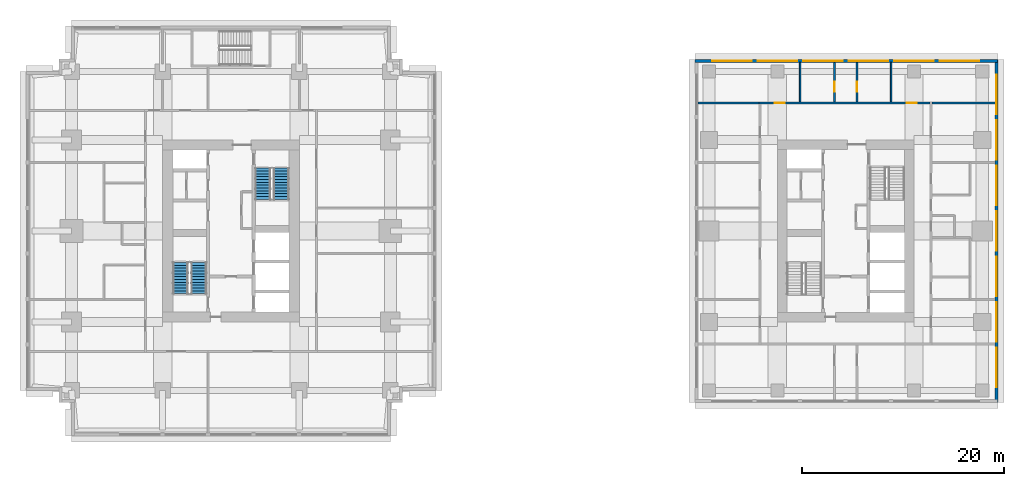
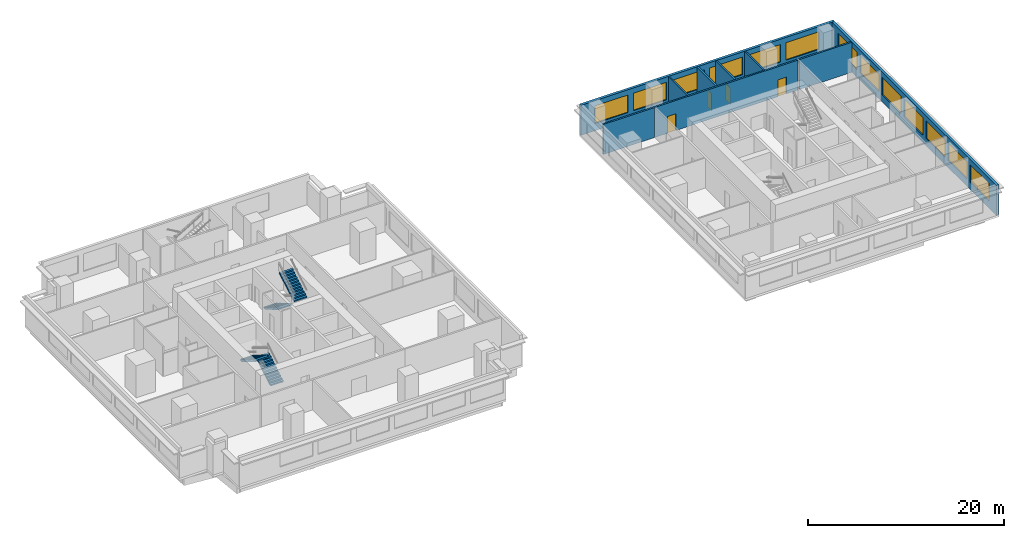
# One storey, part 8 of 11: 13 windows, 9 walls, 4 doors, 4 stair flights, 17 openings, 2 elements without a shape of their own.
"""IFC4 building model written with IfcOpenShell, lengths in metres."""

import ifcopenshell
import ifcopenshell.guid

model = None  # the IFC model being written
_history = None  # IfcOwnerHistory: only IFC2X3 demands one
_inside = {}  # id of a spatial element -> (the spatial element, [elements in it])
_under = {}  # id of a project, library or spatial element -> (it, [spatial elements below it])
_declared = {}  # id of a project -> (the project, [libraries it declares])
_typed = {}  # id of a type object -> (the type object, [elements of that type])
_made_of = {}  # id of a material, layer set ... -> (it, [elements and type objects made of it])


def new_model(schema):
    """Start an empty IFC model of exactly this schema.

    Asked for "IFC4X3", IfcOpenShell would pick the latest addendum, in which some entities
    have other attributes; the version numbers below select the first issue.
    IFC2X3 requires an IfcOwnerHistory on every rooted entity: one is made here for all.
    """
    global model, _history
    if schema == "IFC4X3":
        model = ifcopenshell.file(schema_version=(4, 3, 0, 0))
    else:
        model = ifcopenshell.file(schema=schema)
    _inside.clear()
    _under.clear()
    _declared.clear()
    _typed.clear()
    _made_of.clear()
    _history = None
    if model.schema == "IFC2X3":
        org = make("IfcOrganization", Name="unknown")
        user = make(
            "IfcPersonAndOrganization",
            ThePerson=make("IfcPerson", FamilyName="unknown"),
            TheOrganization=org,
        )
        app = make(
            "IfcApplication",
            ApplicationDeveloper=org,
            Version="unknown",
            ApplicationFullName="unknown",
            ApplicationIdentifier="unknown",
        )
        _history = make(
            "IfcOwnerHistory",
            OwningUser=user,
            OwningApplication=app,
            ChangeAction="ADDED",
            CreationDate=0,
        )
    return model


def make(cls, **values):
    """One entity of the class cls with the attributes given. An attribute that is None is left unset."""
    return model.create_entity(
        cls, **{name: value for name, value in values.items() if value is not None}
    )


def rooted(cls, **values):
    """An entity with a GlobalId (a new one), such as an element, a storey or a relation."""
    return make(cls, GlobalId=ifcopenshell.guid.new(), OwnerHistory=_history, **values)


def si_unit(unit_type, name, prefix=None):
    """IfcSIUnit, for example si_unit("LENGTHUNIT", "METRE", prefix="MILLI")."""
    return make("IfcSIUnit", UnitType=unit_type, Prefix=prefix, Name=name)


def assignment(units):
    """IfcUnitAssignment: the units of a project."""
    return None if units is None else make("IfcUnitAssignment", Units=units)


def point(xyz):
    """IfcCartesianPoint."""
    return None if xyz is None else make("IfcCartesianPoint", Coordinates=xyz)


def direction(xyz):
    """IfcDirection."""
    return None if xyz is None else make("IfcDirection", DirectionRatios=xyz)


def frame(location, z_axis=None, x_axis=None):
    """IfcAxis2Placement3D, a coordinate frame: its origin and axes. An axis left out is left unset."""
    return make(
        "IfcAxis2Placement3D",
        Location=point(location),
        Axis=direction(z_axis),
        RefDirection=direction(x_axis),
    )


def frame_2d(location, x_axis=None):
    """IfcAxis2Placement2D, a coordinate frame in the plane: its origin and x axis."""
    return make(
        "IfcAxis2Placement2D", Location=point(location), RefDirection=direction(x_axis)
    )


def origin():
    """The frame at (0, 0, 0) with its axes left unset."""
    return frame((0.0, 0.0, 0.0))


def place(relative_to, where):
    """IfcLocalPlacement: puts the frame where relative to a parent placement (None: the world)."""
    return make(
        "IfcLocalPlacement", PlacementRelTo=relative_to, RelativePlacement=where
    )


def context(
    kind, dimensions, precision=None, world=None, true_north=None, identifier=None
):
    """IfcGeometricRepresentationContext, for example the 3D "Model" context."""
    return make(
        "IfcGeometricRepresentationContext",
        ContextIdentifier=identifier,
        ContextType=kind,
        CoordinateSpaceDimension=dimensions,
        Precision=precision,
        WorldCoordinateSystem=world,
        TrueNorth=true_north,
    )


def subcontext(parent, identifier, kind, view, scale=None):
    """IfcGeometricRepresentationSubContext, for example "Body" below "Model"."""
    return make(
        "IfcGeometricRepresentationSubContext",
        ContextIdentifier=identifier,
        ContextType=kind,
        ParentContext=parent,
        TargetScale=scale,
        TargetView=view,
    )


def project(units=None, contexts=None):
    """IfcProject with its units and contexts."""
    return rooted(
        "IfcProject",
        Name="project",
        RepresentationContexts=contexts,
        UnitsInContext=assignment(units),
    )


def spatial(cls, under=None, at=None, **own):
    """A site, building, storey or space (cls), placed at a placement, below another one or the project."""
    s = rooted(cls, ObjectPlacement=at, **own)
    if under is not None:
        _under.setdefault(under.id(), (under, []))[1].append(s)
    return s


def polyline(points):
    """IfcPolyline through the points."""
    return make("IfcPolyline", Points=[point(p) for p in points])


def profile(cls, at=None, kind="AREA", **sizes):
    """A parametric profile (cls). Its sizes go by their IFC names, for example OverallWidth=200.0."""
    return make(cls, ProfileType=kind, Position=at, **sizes)


def rectangle(**sizes):
    """IfcRectangleProfileDef."""
    return profile("IfcRectangleProfileDef", **sizes)


def outline(outer, holes=None, kind="AREA"):
    """IfcArbitraryClosedProfileDef: a profile drawn as a closed curve; with holes, ...WithVoids."""
    if holes is None:
        return make("IfcArbitraryClosedProfileDef", ProfileType=kind, OuterCurve=outer)
    return make(
        "IfcArbitraryProfileDefWithVoids",
        ProfileType=kind,
        OuterCurve=outer,
        InnerCurves=holes,
    )


def extrude(swept, where, along, depth):
    """IfcExtrudedAreaSolid: the profile swept, set in the frame where, extruded along a direction by depth."""
    return make(
        "IfcExtrudedAreaSolid",
        SweptArea=swept,
        Position=where,
        ExtrudedDirection=direction(along),
        Depth=depth,
    )


def shape(context_of_items, identifier, shape_type, items):
    """IfcShapeRepresentation: the items that make up one representation, for example the "Body"."""
    return make(
        "IfcShapeRepresentation",
        ContextOfItems=context_of_items,
        RepresentationIdentifier=identifier,
        RepresentationType=shape_type,
        Items=items,
    )


def material(Name=None, Category=None):
    """IfcMaterial."""
    return make("IfcMaterial", Name=Name, Category=Category)


def layer(
    of_material, thickness, ventilated=None, Name=None, Category=None, Priority=None
):
    """IfcMaterialLayer: one layer of a wall or slab, of a material (None: an air gap)."""
    return make(
        "IfcMaterialLayer",
        Material=of_material,
        LayerThickness=thickness,
        IsVentilated=ventilated,
        Name=Name,
        Category=Category,
        Priority=Priority,
    )


def layer_set(layers, Name=None):
    """IfcMaterialLayerSet."""
    return make("IfcMaterialLayerSet", MaterialLayers=layers, LayerSetName=Name)


def made_of(thing, what):
    """Note that an element or type object is made of a material, layer set ...; save() writes the relation."""
    if what is not None:
        _made_of.setdefault(what.id(), (what, []))[1].append(thing)
    return thing


def type_object(cls, material=None, **own):
    """A type object (cls), such as IfcWallType, which elements share."""
    return made_of(rooted(cls, **own), material)


def element(
    cls,
    number,
    at=None,
    inside=None,
    cuts=None,
    type_object=None,
    material=None,
    context=None,
    identifier="Body",
    shape_type=None,
    held_by="IfcProductDefinitionShape",
    body=None,
    shapes=None,
    **own,
):
    """One element of the class cls, such as IfcWall. Its Tag is "e" and its number.

    at: its placement. inside: the storey or other place that contains it. cuts: it is an
    opening in that element (IfcRelVoidsElement). A single representation is given by context,
    identifier, shape_type and body (its items); several are given by shapes. held_by: the class
    of the entity that holds the representations. save() writes the other relations.
    """
    e = rooted(cls, Tag="e%d" % number, ObjectPlacement=at, **own)
    if body is not None:
        shapes = [shape(context, identifier, shape_type, body)]
    if shapes is not None:
        e.Representation = make(held_by, Representations=shapes)
    if inside is not None:
        _inside.setdefault(inside.id(), (inside, []))[1].append(e)
    if cuts is not None:
        rooted(
            "IfcRelVoidsElement", RelatingBuildingElement=cuts, RelatedOpeningElement=e
        )
    if type_object is not None:
        _typed.setdefault(type_object.id(), (type_object, []))[1].append(e)
    return made_of(e, material)


def fill(opening, filler):
    """IfcRelFillsElement: the door or window that sits in an opening."""
    return rooted(
        "IfcRelFillsElement",
        RelatingOpeningElement=opening,
        RelatedBuildingElement=filler,
    )


def aggregate(whole, parts):
    """IfcRelAggregates: a whole, such as a stair, and the parts it consists of."""
    return rooted("IfcRelAggregates", RelatingObject=whole, RelatedObjects=parts)


def save(model, path):
    """Write the relations noted so far, then the file.

    IfcRelAggregates (storeys below a building ...), IfcRelContainedInSpatialStructure (elements
    in a storey), IfcRelDefinesByType, IfcRelAssociatesMaterial and IfcRelDeclares: one each for
    every whole, place, type object, material and project.
    """
    for whole, parts in _under.values():
        aggregate(whole, parts)
    for where, things in _inside.values():
        rooted(
            "IfcRelContainedInSpatialStructure",
            RelatedElements=things,
            RelatingStructure=where,
        )
    for kind, things in _typed.values():
        rooted("IfcRelDefinesByType", RelatedObjects=things, RelatingType=kind)
    for what, things in _made_of.values():
        rooted("IfcRelAssociatesMaterial", RelatedObjects=things, RelatingMaterial=what)
    for by, libraries in _declared.values():
        rooted("IfcRelDeclares", RelatingContext=by, RelatedDefinitions=libraries)
    model.write(path)


model = new_model("IFC4")

# Units and contexts
model_context = context("Model", 3, precision=1e-05, world=origin(), true_north=direction((0.0, 1.0)))
body_context = subcontext(model_context, "Body", "Model", "MODEL_VIEW")
ifc_project = project(units=[si_unit("LENGTHUNIT", "METRE"), si_unit("AREAUNIT", "SQUARE_METRE"), si_unit("VOLUMEUNIT", "CUBIC_METRE"), si_unit("PLANEANGLEUNIT", "RADIAN"), si_unit("MASSUNIT", "GRAM", prefix="KILO")], contexts=[model_context])

# Site, building, storey
site_placement = place(None, origin())
site = spatial("IfcSite", under=ifc_project, at=site_placement, CompositionType="ELEMENT")
building_placement = place(site_placement, origin())
building = spatial("IfcBuilding", under=site, at=building_placement, Name="Namib Vertical Campus", CompositionType="ELEMENT")
storey_placement = place(building_placement, frame((0.0, 0.0, 221.0)))
storey = spatial("IfcBuildingStorey", under=building, at=storey_placement, Name="L52", CompositionType="ELEMENT", Elevation=221.0)

# Wall, openings, doors
ifc_material_1 = material(Name="Concrete masonry", Category="masonry")
ifc_layer_1 = layer(ifc_material_1, 0.199951171875)
ifc_layer_set_1 = layer_set([ifc_layer_1], Name="Corridor wall 200")
wall_type_1 = type_object("IfcWallType", Name="Corridor wall 200", PredefinedType="SOLIDWALL", material=ifc_layer_set_1)
wall_1_placement = place(storey_placement, frame((89.35009765625, 32.89990234375, 0.0), z_axis=(0.0, 0.0, 1.0), x_axis=(-1.0, 0.0, 0.0)))
wall_1 = element("IfcWall", 1, at=wall_1_placement, inside=storey, type_object=wall_type_1, Name="Corridor wall B L52 CN", PredefinedType="SOLIDWALL", context=body_context, shape_type="SweptSolid", body=[
    extrude(rectangle(XDim=16.900146484375, YDim=0.199951171875, at=frame_2d((8.4501953125, 0.0))), origin(), (0.0, 0.0, 1.0), 3.75),
])
opening_1_placement = place(wall_1_placement, frame((14.375, 0.0, 0.0)))
opening_1 = element("IfcOpeningElement", 2, at=opening_1_placement, cuts=wall_1, Name="Opening CD1", PredefinedType="OPENING", context=body_context, shape_type="SweptSolid", body=[
    extrude(rectangle(XDim=1.0, YDim=2.10009765625, at=frame_2d((0.5, 1.050048828125))), frame((0.0, 0.10986328125, 0.0), z_axis=(0.0, -1.0, 0.0), x_axis=(1.0, 0.0, 0.0)), (0.0, 0.0, 1.0), 0.219970703125),
])
opening_2_placement = place(wall_1_placement, frame((1.324951171875, 0.0, 0.0)))
opening_2 = element("IfcOpeningElement", 3, at=opening_2_placement, cuts=wall_1, Name="Opening CD1", PredefinedType="OPENING", context=body_context, shape_type="SweptSolid", body=[
    extrude(rectangle(XDim=1.0, YDim=2.10009765625, at=frame_2d((0.5, 1.050048828125))), frame((0.0, 0.10986328125, 0.0), z_axis=(0.0, -1.0, 0.0), x_axis=(1.0, 0.0, 0.0)), (0.0, 0.0, 1.0), 0.219970703125),
])
ifc_material_2 = material(Name="Timber fire door leaf", Category="wood")
door_type = type_object("IfcDoorType", Name="Corridor door 1000x2100 20 min", OperationType="SINGLE_SWING_LEFT", PredefinedType="DOOR", material=ifc_material_2)
door_1_placement = place(opening_1_placement, frame((1.0, 0.0, 0.0), z_axis=(0.0, 0.0, 1.0), x_axis=(-1.0, 0.0, 0.0)))
door_1 = element("IfcDoor", 4, at=door_1_placement, inside=storey, type_object=door_type, Name="Door CD1 B52-10", OperationType="SINGLE_SWING_RIGHT", OverallHeight=2.10009765625, OverallWidth=1.0, PredefinedType="DOOR", context=body_context, shape_type="SweptSolid", body=[
    extrude(rectangle(XDim=1.0, YDim=2.10009765625, at=frame_2d((0.5, 1.050048828125))), frame((0.0, 0.02490234375, 0.0), z_axis=(0.0, -1.0, 0.0), x_axis=(1.0, 0.0, 0.0)), (0.0, 0.0, 1.0), 0.050048828125),
])
fill(opening_1, door_1)
door_2_placement = place(opening_2_placement, frame((1.0, 0.0, 0.0), z_axis=(0.0, 0.0, 1.0), x_axis=(-1.0, 0.0, 0.0)))
door_2 = element("IfcDoor", 5, at=door_2_placement, inside=storey, type_object=door_type, Name="Door CD1 B52-13", OperationType="SINGLE_SWING_LEFT", OverallHeight=2.10009765625, OverallWidth=1.0, PredefinedType="DOOR", context=body_context, shape_type="SweptSolid", body=[
    extrude(rectangle(XDim=1.0, YDim=2.10009765625, at=frame_2d((0.5, 1.050048828125))), frame((0.0, 0.02490234375, 0.0), z_axis=(0.0, -1.0, 0.0), x_axis=(1.0, 0.0, 0.0)), (0.0, 0.0, 1.0), 0.050048828125),
])
fill(opening_2, door_2)

# Wall, opening, door
wall_2_placement = place(storey_placement, frame((79.89990234375, 33.0, 0.0), z_axis=(0.0, 0.0, 1.0), x_axis=(0.0, 1.0, 0.0)))
wall_2 = element("IfcWall", 6, at=wall_2_placement, inside=storey, type_object=wall_type_1, Name="Corridor wall B L52 SPN1", PredefinedType="SOLIDWALL", context=body_context, shape_type="SweptSolid", body=[
    extrude(rectangle(XDim=3.89990234375, YDim=0.199951171875, at=frame_2d((1.949951171875, 0.0))), origin(), (0.0, 0.0, 1.0), 3.75),
])
opening_3_placement = place(wall_2_placement, frame((1.0, 0.0, 0.0)))
opening_3 = element("IfcOpeningElement", 7, at=opening_3_placement, cuts=wall_2, Name="Opening CD1", PredefinedType="OPENING", context=body_context, shape_type="SweptSolid", body=[
    extrude(rectangle(XDim=1.0, YDim=2.10009765625, at=frame_2d((0.5, 1.050048828125))), frame((0.0, 0.10986328125, 0.0), z_axis=(0.0, -1.0, 0.0), x_axis=(1.0, 0.0, 0.0)), (0.0, 0.0, 1.0), 0.219970703125),
])
door_3_placement = place(opening_3_placement, origin())
door_3 = element("IfcDoor", 8, at=door_3_placement, inside=storey, type_object=door_type, Name="Door CD1 B52-11", OperationType="SINGLE_SWING_LEFT", OverallHeight=2.10009765625, OverallWidth=1.0, PredefinedType="DOOR", context=body_context, shape_type="SweptSolid", body=[
    extrude(rectangle(XDim=1.0, YDim=2.10009765625, at=frame_2d((0.5, 1.050048828125))), frame((0.0, 0.02490234375, 0.0), z_axis=(0.0, -1.0, 0.0), x_axis=(1.0, 0.0, 0.0)), (0.0, 0.0, 1.0), 0.050048828125),
])
fill(opening_3, door_3)

wall_3_placement = place(storey_placement, frame((82.10009765625, 36.89990234375, 0.0), z_axis=(0.0, 0.0, 1.0), x_axis=(0.0, -1.0, 0.0)))
wall_3 = element("IfcWall", 9, at=wall_3_placement, inside=storey, type_object=wall_type_1, Name="Corridor wall B L52 SPN2", PredefinedType="SOLIDWALL", context=body_context, shape_type="SweptSolid", body=[
    extrude(rectangle(XDim=3.89990234375, YDim=0.199951171875, at=frame_2d((1.949951171875, 0.0))), origin(), (0.0, 0.0, 1.0), 3.75),
])
opening_4_placement = place(wall_3_placement, frame((1.89990234375, 0.0, 0.0)))
opening_4 = element("IfcOpeningElement", 10, at=opening_4_placement, cuts=wall_3, Name="Opening CD1", PredefinedType="OPENING", context=body_context, shape_type="SweptSolid", body=[
    extrude(rectangle(XDim=1.0, YDim=2.10009765625, at=frame_2d((0.5, 1.050048828125))), frame((0.0, 0.10986328125, 0.0), z_axis=(0.0, -1.0, 0.0), x_axis=(1.0, 0.0, 0.0)), (0.0, 0.0, 1.0), 0.219970703125),
])
door_4_placement = place(opening_4_placement, origin())
door_4 = element("IfcDoor", 11, at=door_4_placement, inside=storey, type_object=door_type, Name="Door CD1 B52-12", OperationType="SINGLE_SWING_RIGHT", OverallHeight=2.10009765625, OverallWidth=1.0, PredefinedType="DOOR", context=body_context, shape_type="SweptSolid", body=[
    extrude(rectangle(XDim=1.0, YDim=2.10009765625, at=frame_2d((0.5, 1.050048828125))), frame((0.0, 0.02490234375, 0.0), z_axis=(0.0, -1.0, 0.0), x_axis=(1.0, 0.0, 0.0)), (0.0, 0.0, 1.0), 0.050048828125),
])
fill(opening_4, door_4)

# Walls
wall_4_placement = place(storey_placement, frame((66.39990234375, 32.89990234375, 0.0), z_axis=(0.0, 0.0, 1.0), x_axis=(1.0, 0.0, 0.0)))
element("IfcWall", 12, at=wall_4_placement, inside=storey, type_object=wall_type_1, Name="Partition B L52 BNW", PredefinedType="SOLIDWALL", context=body_context, shape_type="SweptSolid", body=[
    extrude(rectangle(XDim=6.050048828125, YDim=0.199951171875, at=frame_2d((3.02490234375, 0.0))), origin(), (0.0, 0.0, 1.0), 3.75),
])
wall_5_placement = place(storey_placement, frame((89.550048828125, 32.89990234375, 0.0), z_axis=(0.0, 0.0, 1.0), x_axis=(1.0, 0.0, 0.0)))
element("IfcWall", 13, at=wall_5_placement, inside=storey, type_object=wall_type_1, Name="Partition B L52 BNE", PredefinedType="SOLIDWALL", context=body_context, shape_type="SweptSolid", body=[
    extrude(rectangle(XDim=6.199951171875, YDim=0.199951171875, at=frame_2d((3.10009765625, 0.0))), origin(), (0.0, 0.0, 1.0), 3.75),
])

# Wall, openings, windows
ifc_material_3 = material(Name="Concrete C40/50", Category="concrete")
ifc_layer_2 = layer(ifc_material_3, 0.300048828125)
ifc_layer_set_2 = layer_set([ifc_layer_2], Name="Concrete C40/50")
wall_type_2 = type_object("IfcWallType", Name="External wall 300 board-marked concrete", PredefinedType="STANDARD", material=ifc_layer_set_2)
wall_6_placement = place(storey_placement, frame((95.89990234375, 3.320068359375, 0.0), z_axis=(0.0, 0.0, 1.0), x_axis=(0.0, 1.0, 0.0)))
wall_6 = element("IfcWall", 14, at=wall_6_placement, inside=storey, type_object=wall_type_2, Name="External wall L52 F02", PredefinedType="STANDARD", context=body_context, shape_type="SweptSolid", body=[
    extrude(rectangle(XDim=33.85986328125, YDim=0.300048828125, at=frame_2d((16.929931640625, 0.0))), origin(), (0.0, 0.0, 1.0), 3.75),
])
opening_5_placement = place(wall_6_placement, frame((1.47998046875, 0.0, 0.89990234375)))
opening_5 = element("IfcOpeningElement", 15, at=opening_5_placement, cuts=wall_6, Name="Opening W1", PredefinedType="OPENING", context=body_context, shape_type="SweptSolid", body=[
    extrude(rectangle(XDim=3.89990234375, YDim=2.199951171875, at=frame_2d((1.949951171875, 1.10009765625))), frame((0.0, 0.159912109375, 0.0), z_axis=(0.0, -1.0, 0.0), x_axis=(1.0, 0.0, 0.0)), (0.0, 0.0, 1.0), 0.320068359375),
])
opening_6_placement = place(wall_6_placement, frame((5.97998046875, 0.0, 0.89990234375)))
opening_6 = element("IfcOpeningElement", 16, at=opening_6_placement, cuts=wall_6, Name="Opening W1", PredefinedType="OPENING", context=body_context, shape_type="SweptSolid", body=[
    extrude(rectangle(XDim=3.89990234375, YDim=2.199951171875, at=frame_2d((1.949951171875, 1.10009765625))), frame((0.0, 0.159912109375, 0.0), z_axis=(0.0, -1.0, 0.0), x_axis=(1.0, 0.0, 0.0)), (0.0, 0.0, 1.0), 0.320068359375),
])
opening_7_placement = place(wall_6_placement, frame((10.47998046875, 0.0, 0.89990234375)))
opening_7 = element("IfcOpeningElement", 17, at=opening_7_placement, cuts=wall_6, Name="Opening W1", PredefinedType="OPENING", context=body_context, shape_type="SweptSolid", body=[
    extrude(rectangle(XDim=3.89990234375, YDim=2.199951171875, at=frame_2d((1.949951171875, 1.10009765625))), frame((0.0, 0.159912109375, 0.0), z_axis=(0.0, -1.0, 0.0), x_axis=(1.0, 0.0, 0.0)), (0.0, 0.0, 1.0), 0.320068359375),
])
opening_8_placement = place(wall_6_placement, frame((14.97998046875, 0.0, 0.89990234375)))
opening_8 = element("IfcOpeningElement", 18, at=opening_8_placement, cuts=wall_6, Name="Opening W1", PredefinedType="OPENING", context=body_context, shape_type="SweptSolid", body=[
    extrude(rectangle(XDim=3.89990234375, YDim=2.199951171875, at=frame_2d((1.949951171875, 1.10009765625))), frame((0.0, 0.159912109375, 0.0), z_axis=(0.0, -1.0, 0.0), x_axis=(1.0, 0.0, 0.0)), (0.0, 0.0, 1.0), 0.320068359375),
])
opening_9_placement = place(wall_6_placement, frame((19.47998046875, 0.0, 0.89990234375)))
opening_9 = element("IfcOpeningElement", 19, at=opening_9_placement, cuts=wall_6, Name="Opening W1", PredefinedType="OPENING", context=body_context, shape_type="SweptSolid", body=[
    extrude(rectangle(XDim=3.89990234375, YDim=2.199951171875, at=frame_2d((1.949951171875, 1.10009765625))), frame((0.0, 0.159912109375, 0.0), z_axis=(0.0, -1.0, 0.0), x_axis=(1.0, 0.0, 0.0)), (0.0, 0.0, 1.0), 0.320068359375),
])
opening_10_placement = place(wall_6_placement, frame((23.97998046875, 0.0, 0.89990234375)))
opening_10 = element("IfcOpeningElement", 20, at=opening_10_placement, cuts=wall_6, Name="Opening W1", PredefinedType="OPENING", context=body_context, shape_type="SweptSolid", body=[
    extrude(rectangle(XDim=3.89990234375, YDim=2.199951171875, at=frame_2d((1.949951171875, 1.10009765625))), frame((0.0, 0.159912109375, 0.0), z_axis=(0.0, -1.0, 0.0), x_axis=(1.0, 0.0, 0.0)), (0.0, 0.0, 1.0), 0.320068359375),
])
opening_11_placement = place(wall_6_placement, frame((28.47998046875, 0.0, 0.89990234375)))
opening_11 = element("IfcOpeningElement", 21, at=opening_11_placement, cuts=wall_6, Name="Opening W1", PredefinedType="OPENING", context=body_context, shape_type="SweptSolid", body=[
    extrude(rectangle(XDim=3.89990234375, YDim=2.199951171875, at=frame_2d((1.949951171875, 1.10009765625))), frame((0.0, 0.159912109375, 0.0), z_axis=(0.0, -1.0, 0.0), x_axis=(1.0, 0.0, 0.0)), (0.0, 0.0, 1.0), 0.320068359375),
])
ifc_material_4 = material(Name="Dark tinted glass in black aluminium frame", Category="aluminium")
window_type = type_object("IfcWindowType", Name="Ribbon window 3900x2200", PartitioningType="SINGLE_PANEL", PredefinedType="WINDOW", material=ifc_material_4)
window_1_placement = place(opening_5_placement, origin())
window_1 = element("IfcWindow", 22, at=window_1_placement, inside=storey, type_object=window_type, Name="Window W1 L52 F02-1", OverallHeight=2.199951171875, OverallWidth=3.89990234375, PartitioningType="SINGLE_PANEL", PredefinedType="WINDOW", context=body_context, shape_type="SweptSolid", body=[
    extrude(rectangle(XDim=3.89990234375, YDim=2.199951171875, at=frame_2d((1.949951171875, 1.10009765625))), frame((0.0, 0.030029296875, 0.0), z_axis=(0.0, -1.0, 0.0), x_axis=(1.0, 0.0, 0.0)), (0.0, 0.0, 1.0), 0.06005859375),
])
fill(opening_5, window_1)
window_2_placement = place(opening_6_placement, origin())
window_2 = element("IfcWindow", 23, at=window_2_placement, inside=storey, type_object=window_type, Name="Window W1 L52 F02-2", OverallHeight=2.199951171875, OverallWidth=3.89990234375, PartitioningType="SINGLE_PANEL", PredefinedType="WINDOW", context=body_context, shape_type="SweptSolid", body=[
    extrude(rectangle(XDim=3.89990234375, YDim=2.199951171875, at=frame_2d((1.949951171875, 1.10009765625))), frame((0.0, 0.030029296875, 0.0), z_axis=(0.0, -1.0, 0.0), x_axis=(1.0, 0.0, 0.0)), (0.0, 0.0, 1.0), 0.06005859375),
])
fill(opening_6, window_2)
window_3_placement = place(opening_7_placement, origin())
window_3 = element("IfcWindow", 24, at=window_3_placement, inside=storey, type_object=window_type, Name="Window W1 L52 F02-3", OverallHeight=2.199951171875, OverallWidth=3.89990234375, PartitioningType="SINGLE_PANEL", PredefinedType="WINDOW", context=body_context, shape_type="SweptSolid", body=[
    extrude(rectangle(XDim=3.89990234375, YDim=2.199951171875, at=frame_2d((1.949951171875, 1.10009765625))), frame((0.0, 0.030029296875, 0.0), z_axis=(0.0, -1.0, 0.0), x_axis=(1.0, 0.0, 0.0)), (0.0, 0.0, 1.0), 0.06005859375),
])
fill(opening_7, window_3)
window_4_placement = place(opening_8_placement, origin())
window_4 = element("IfcWindow", 25, at=window_4_placement, inside=storey, type_object=window_type, Name="Window W1 L52 F02-4", OverallHeight=2.199951171875, OverallWidth=3.89990234375, PartitioningType="SINGLE_PANEL", PredefinedType="WINDOW", context=body_context, shape_type="SweptSolid", body=[
    extrude(rectangle(XDim=3.89990234375, YDim=2.199951171875, at=frame_2d((1.949951171875, 1.10009765625))), frame((0.0, 0.030029296875, 0.0), z_axis=(0.0, -1.0, 0.0), x_axis=(1.0, 0.0, 0.0)), (0.0, 0.0, 1.0), 0.06005859375),
])
fill(opening_8, window_4)
window_5_placement = place(opening_9_placement, origin())
window_5 = element("IfcWindow", 26, at=window_5_placement, inside=storey, type_object=window_type, Name="Window W1 L52 F02-5", OverallHeight=2.199951171875, OverallWidth=3.89990234375, PartitioningType="SINGLE_PANEL", PredefinedType="WINDOW", context=body_context, shape_type="SweptSolid", body=[
    extrude(rectangle(XDim=3.89990234375, YDim=2.199951171875, at=frame_2d((1.949951171875, 1.10009765625))), frame((0.0, 0.030029296875, 0.0), z_axis=(0.0, -1.0, 0.0), x_axis=(1.0, 0.0, 0.0)), (0.0, 0.0, 1.0), 0.06005859375),
])
fill(opening_9, window_5)
window_6_placement = place(opening_10_placement, origin())
window_6 = element("IfcWindow", 27, at=window_6_placement, inside=storey, type_object=window_type, Name="Window W1 L52 F02-6", OverallHeight=2.199951171875, OverallWidth=3.89990234375, PartitioningType="SINGLE_PANEL", PredefinedType="WINDOW", context=body_context, shape_type="SweptSolid", body=[
    extrude(rectangle(XDim=3.89990234375, YDim=2.199951171875, at=frame_2d((1.949951171875, 1.10009765625))), frame((0.0, 0.030029296875, 0.0), z_axis=(0.0, -1.0, 0.0), x_axis=(1.0, 0.0, 0.0)), (0.0, 0.0, 1.0), 0.06005859375),
])
fill(opening_10, window_6)
window_7_placement = place(opening_11_placement, origin())
window_7 = element("IfcWindow", 28, at=window_7_placement, inside=storey, type_object=window_type, Name="Window W1 L52 F02-7", OverallHeight=2.199951171875, OverallWidth=3.89990234375, PartitioningType="SINGLE_PANEL", PredefinedType="WINDOW", context=body_context, shape_type="SweptSolid", body=[
    extrude(rectangle(XDim=3.89990234375, YDim=2.199951171875, at=frame_2d((1.949951171875, 1.10009765625))), frame((0.0, 0.030029296875, 0.0), z_axis=(0.0, -1.0, 0.0), x_axis=(1.0, 0.0, 0.0)), (0.0, 0.0, 1.0), 0.06005859375),
])
fill(opening_11, window_7)

wall_7_placement = place(storey_placement, frame((96.030029296875, 37.050048828125, 0.0), z_axis=(0.0, 0.0, 1.0), x_axis=(-1.0, 0.0, 0.0)))
wall_7 = element("IfcWall", 29, at=wall_7_placement, inside=storey, type_object=wall_type_2, Name="External wall L52 F03", PredefinedType="STANDARD", context=body_context, shape_type="SweptSolid", body=[
    extrude(rectangle(XDim=29.909912109375, YDim=0.300048828125, at=frame_2d((14.955078125, 0.0))), origin(), (0.0, 0.0, 1.0), 3.75),
])
opening_12_placement = place(wall_7_placement, frame((24.330078125, 0.0, 0.89990234375)))
opening_12 = element("IfcOpeningElement", 30, at=opening_12_placement, cuts=wall_7, Name="Opening W1", PredefinedType="OPENING", context=body_context, shape_type="SweptSolid", body=[
    extrude(rectangle(XDim=3.89990234375, YDim=2.199951171875, at=frame_2d((1.949951171875, 1.10009765625))), frame((0.0, 0.159912109375, 0.0), z_axis=(0.0, -1.0, 0.0), x_axis=(1.0, 0.0, 0.0)), (0.0, 0.0, 1.0), 0.320068359375),
])
opening_13_placement = place(wall_7_placement, frame((19.830078125, 0.0, 0.89990234375)))
opening_13 = element("IfcOpeningElement", 31, at=opening_13_placement, cuts=wall_7, Name="Opening W1", PredefinedType="OPENING", context=body_context, shape_type="SweptSolid", body=[
    extrude(rectangle(XDim=3.89990234375, YDim=2.199951171875, at=frame_2d((1.949951171875, 1.10009765625))), frame((0.0, 0.159912109375, 0.0), z_axis=(0.0, -1.0, 0.0), x_axis=(1.0, 0.0, 0.0)), (0.0, 0.0, 1.0), 0.320068359375),
])
opening_14_placement = place(wall_7_placement, frame((15.330078125, 0.0, 0.89990234375)))
opening_14 = element("IfcOpeningElement", 32, at=opening_14_placement, cuts=wall_7, Name="Opening W1", PredefinedType="OPENING", context=body_context, shape_type="SweptSolid", body=[
    extrude(rectangle(XDim=3.89990234375, YDim=2.199951171875, at=frame_2d((1.949951171875, 1.10009765625))), frame((0.0, 0.159912109375, 0.0), z_axis=(0.0, -1.0, 0.0), x_axis=(1.0, 0.0, 0.0)), (0.0, 0.0, 1.0), 0.320068359375),
])
opening_15_placement = place(wall_7_placement, frame((10.830078125, 0.0, 0.89990234375)))
opening_15 = element("IfcOpeningElement", 33, at=opening_15_placement, cuts=wall_7, Name="Opening W1", PredefinedType="OPENING", context=body_context, shape_type="SweptSolid", body=[
    extrude(rectangle(XDim=3.89990234375, YDim=2.199951171875, at=frame_2d((1.949951171875, 1.10009765625))), frame((0.0, 0.159912109375, 0.0), z_axis=(0.0, -1.0, 0.0), x_axis=(1.0, 0.0, 0.0)), (0.0, 0.0, 1.0), 0.320068359375),
])
opening_16_placement = place(wall_7_placement, frame((6.330078125, 0.0, 0.89990234375)))
opening_16 = element("IfcOpeningElement", 34, at=opening_16_placement, cuts=wall_7, Name="Opening W1", PredefinedType="OPENING", context=body_context, shape_type="SweptSolid", body=[
    extrude(rectangle(XDim=3.89990234375, YDim=2.199951171875, at=frame_2d((1.949951171875, 1.10009765625))), frame((0.0, 0.159912109375, 0.0), z_axis=(0.0, -1.0, 0.0), x_axis=(1.0, 0.0, 0.0)), (0.0, 0.0, 1.0), 0.320068359375),
])
opening_17_placement = place(wall_7_placement, frame((1.830078125, 0.0, 0.89990234375)))
opening_17 = element("IfcOpeningElement", 35, at=opening_17_placement, cuts=wall_7, Name="Opening W1", PredefinedType="OPENING", context=body_context, shape_type="SweptSolid", body=[
    extrude(rectangle(XDim=3.89990234375, YDim=2.199951171875, at=frame_2d((1.949951171875, 1.10009765625))), frame((0.0, 0.159912109375, 0.0), z_axis=(0.0, -1.0, 0.0), x_axis=(1.0, 0.0, 0.0)), (0.0, 0.0, 1.0), 0.320068359375),
])
window_8_placement = place(opening_12_placement, origin())
window_8 = element("IfcWindow", 36, at=window_8_placement, inside=storey, type_object=window_type, Name="Window W1 L52 F03-1", OverallHeight=2.199951171875, OverallWidth=3.89990234375, PartitioningType="SINGLE_PANEL", PredefinedType="WINDOW", context=body_context, shape_type="SweptSolid", body=[
    extrude(rectangle(XDim=3.89990234375, YDim=2.199951171875, at=frame_2d((1.949951171875, 1.10009765625))), frame((0.0, 0.030029296875, 0.0), z_axis=(0.0, -1.0, 0.0), x_axis=(1.0, 0.0, 0.0)), (0.0, 0.0, 1.0), 0.06005859375),
])
fill(opening_12, window_8)
window_9_placement = place(opening_13_placement, origin())
window_9 = element("IfcWindow", 37, at=window_9_placement, inside=storey, type_object=window_type, Name="Window W1 L52 F03-2", OverallHeight=2.199951171875, OverallWidth=3.89990234375, PartitioningType="SINGLE_PANEL", PredefinedType="WINDOW", context=body_context, shape_type="SweptSolid", body=[
    extrude(rectangle(XDim=3.89990234375, YDim=2.199951171875, at=frame_2d((1.949951171875, 1.10009765625))), frame((0.0, 0.030029296875, 0.0), z_axis=(0.0, -1.0, 0.0), x_axis=(1.0, 0.0, 0.0)), (0.0, 0.0, 1.0), 0.06005859375),
])
fill(opening_13, window_9)
window_10_placement = place(opening_14_placement, origin())
window_10 = element("IfcWindow", 38, at=window_10_placement, inside=storey, type_object=window_type, Name="Window W1 L52 F03-3", OverallHeight=2.199951171875, OverallWidth=3.89990234375, PartitioningType="SINGLE_PANEL", PredefinedType="WINDOW", context=body_context, shape_type="SweptSolid", body=[
    extrude(rectangle(XDim=3.89990234375, YDim=2.199951171875, at=frame_2d((1.949951171875, 1.10009765625))), frame((0.0, 0.030029296875, 0.0), z_axis=(0.0, -1.0, 0.0), x_axis=(1.0, 0.0, 0.0)), (0.0, 0.0, 1.0), 0.06005859375),
])
fill(opening_14, window_10)
window_11_placement = place(opening_15_placement, origin())
window_11 = element("IfcWindow", 39, at=window_11_placement, inside=storey, type_object=window_type, Name="Window W1 L52 F03-4", OverallHeight=2.199951171875, OverallWidth=3.89990234375, PartitioningType="SINGLE_PANEL", PredefinedType="WINDOW", context=body_context, shape_type="SweptSolid", body=[
    extrude(rectangle(XDim=3.89990234375, YDim=2.199951171875, at=frame_2d((1.949951171875, 1.10009765625))), frame((0.0, 0.030029296875, 0.0), z_axis=(0.0, -1.0, 0.0), x_axis=(1.0, 0.0, 0.0)), (0.0, 0.0, 1.0), 0.06005859375),
])
fill(opening_15, window_11)
window_12_placement = place(opening_16_placement, origin())
window_12 = element("IfcWindow", 40, at=window_12_placement, inside=storey, type_object=window_type, Name="Window W1 L52 F03-5", OverallHeight=2.199951171875, OverallWidth=3.89990234375, PartitioningType="SINGLE_PANEL", PredefinedType="WINDOW", context=body_context, shape_type="SweptSolid", body=[
    extrude(rectangle(XDim=3.89990234375, YDim=2.199951171875, at=frame_2d((1.949951171875, 1.10009765625))), frame((0.0, 0.030029296875, 0.0), z_axis=(0.0, -1.0, 0.0), x_axis=(1.0, 0.0, 0.0)), (0.0, 0.0, 1.0), 0.06005859375),
])
fill(opening_16, window_12)
window_13_placement = place(opening_17_placement, origin())
window_13 = element("IfcWindow", 41, at=window_13_placement, inside=storey, type_object=window_type, Name="Window W1 L52 F03-6", OverallHeight=2.199951171875, OverallWidth=3.89990234375, PartitioningType="SINGLE_PANEL", PredefinedType="WINDOW", context=body_context, shape_type="SweptSolid", body=[
    extrude(rectangle(XDim=3.89990234375, YDim=2.199951171875, at=frame_2d((1.949951171875, 1.10009765625))), frame((0.0, 0.030029296875, 0.0), z_axis=(0.0, -1.0, 0.0), x_axis=(1.0, 0.0, 0.0)), (0.0, 0.0, 1.0), 0.06005859375),
])
fill(opening_17, window_13)

# Walls
ifc_material_5 = material(Name="Gypsum board on steel studs", Category="steel")
ifc_layer_3 = layer(ifc_material_5, 0.14990234375)
ifc_layer_set_3 = layer_set([ifc_layer_3], Name="Gypsum board on steel studs")
wall_type_3 = type_object("IfcWallType", Name="Partition 150", PredefinedType="PARTITIONING", material=ifc_layer_set_3)
for number, where, z_axis, x_axis, name in (
    (42, (76.5, 33.0, 0.0), (0.0, 0.0, 1.0), (0.0, 1.0, 0.0), "Partition B L52 PN1"),
    (43, (85.5, 33.0, 0.0), (0.0, 0.0, 1.0), (0.0, 1.0, 0.0), "Partition B L52 PN4"),
):
    element("IfcWall", number, at=place(storey_placement, frame(where, z_axis=z_axis, x_axis=x_axis)), inside=storey, type_object=wall_type_3, Name=name, PredefinedType="PARTITIONING", context=body_context, shape_type="SweptSolid", body=[
        extrude(rectangle(XDim=3.89990234375, YDim=0.14990234375, at=frame_2d((1.949951171875, 0.0))), origin(), (0.0, 0.0, 1.0), 3.75),
    ])

# Stair, stair flights
ifc_material_6 = material(Name="Concrete C40/50 precast", Category="concrete")
stair_type = type_object("IfcStairType", Name="Exit stair 4000 rise 24 risers 3350 wide", PredefinedType="HALF_TURN_STAIR", material=ifc_material_6)
stair_1_placement = place(storey_placement, origin())
stair_1 = element("IfcStair", 44, at=stair_1_placement, inside=storey, type_object=stair_type, Name="Exit stair A-S1 L52", PredefinedType="HALF_TURN_STAIR")
ifc_material_7 = material(Name="Concrete C40/50 precast", Category="concrete")
stair_flight_type = type_object("IfcStairFlightType", Name="Stair flight 12 risers 167 1525 wide", PredefinedType="STRAIGHT", material=ifc_material_7)
stair_flight_1_placement = place(storey_placement, frame((17.08740234375, 14.050048828125, 0.0), z_axis=(0.0, 0.0, 1.0), x_axis=(0.0, 1.0, 0.0)))
stair_flight_1 = element("IfcStairFlight", 45, at=stair_flight_1_placement, type_object=stair_flight_type, Name="A-S1 flight 1", NumberOfRisers=12, NumberOfTreads=11, PredefinedType="STRAIGHT", RiserHeight=0.166666667, TreadLength=0.28, context=body_context, shape_type="SweptSolid", body=[
    extrude(outline(polyline([(0.0, 0.0), (0.0, 0.166748046875), (0.280029296875, 0.166748046875), (0.280029296875, 0.333251953125), (0.56005859375, 0.333251953125), (0.56005859375, 0.5), (0.840087890625, 0.5), (0.840087890625, 0.666748046875), (1.1201171875, 0.666748046875), (1.1201171875, 0.833251953125), (1.39990234375, 0.833251953125), (1.39990234375, 1.0), (1.679931640625, 1.0), (1.679931640625, 1.166748046875), (1.9599609375, 1.166748046875), (1.9599609375, 1.333251953125), (2.239990234375, 1.333251953125), (2.239990234375, 1.5), (2.52001953125, 1.5), (2.52001953125, 1.666748046875), (2.800048828125, 1.666748046875), (2.800048828125, 1.833251953125), (3.080078125, 1.833251953125), (3.080078125, 2.0), (3.080078125, 1.658935546875), (0.29296875, 0.0), (0.0, 0.0)])), frame((0.0, 0.762451171875, 0.0), z_axis=(0.0, -1.0, 0.0), x_axis=(1.0, 0.0, 0.0)), (0.0, 0.0, 1.0), 1.52490234375),
])
stair_flight_2_placement = place(storey_placement, frame((15.262451171875, 17.1298828125, 2.0), z_axis=(0.0, 0.0, 1.0), x_axis=(0.0, -1.0, 0.0)))
stair_flight_2 = element("IfcStairFlight", 46, at=stair_flight_2_placement, type_object=stair_flight_type, Name="A-S1 flight 2", NumberOfRisers=12, NumberOfTreads=11, PredefinedType="STRAIGHT", RiserHeight=0.166666667, TreadLength=0.28, context=body_context, shape_type="SweptSolid", body=[
    extrude(outline(polyline([(0.0, 0.0), (0.0, 0.166748046875), (0.280029296875, 0.166748046875), (0.280029296875, 0.333251953125), (0.56005859375, 0.333251953125), (0.56005859375, 0.5), (0.840087890625, 0.5), (0.840087890625, 0.666748046875), (1.1201171875, 0.666748046875), (1.1201171875, 0.833251953125), (1.39990234375, 0.833251953125), (1.39990234375, 1.0), (1.679931640625, 1.0), (1.679931640625, 1.166748046875), (1.9599609375, 1.166748046875), (1.9599609375, 1.333251953125), (2.239990234375, 1.333251953125), (2.239990234375, 1.5), (2.52001953125, 1.5), (2.52001953125, 1.666748046875), (2.800048828125, 1.666748046875), (2.800048828125, 1.833251953125), (3.080078125, 1.833251953125), (3.080078125, 2.0), (3.080078125, 1.658935546875), (0.29296875, 0.0), (0.0, 0.0)])), frame((0.0, 0.762451171875, 0.0), z_axis=(0.0, -1.0, 0.0), x_axis=(1.0, 0.0, 0.0)), (0.0, 0.0, 1.0), 1.52490234375),
])
aggregate(stair_1, [stair_flight_1, stair_flight_2])

stair_2_placement = place(storey_placement, origin())
stair_2 = element("IfcStair", 47, at=stair_2_placement, inside=storey, type_object=stair_type, Name="Exit stair A-S2 L52", PredefinedType="HALF_TURN_STAIR")
stair_flight_3_placement = place(storey_placement, frame((23.41259765625, 26.449951171875, 0.0), z_axis=(0.0, 0.0, 1.0), x_axis=(0.0, -1.0, 0.0)))
stair_flight_3 = element("IfcStairFlight", 48, at=stair_flight_3_placement, type_object=stair_flight_type, Name="A-S2 flight 1", NumberOfRisers=12, NumberOfTreads=11, PredefinedType="STRAIGHT", RiserHeight=0.166666667, TreadLength=0.28, context=body_context, shape_type="SweptSolid", body=[
    extrude(outline(polyline([(0.0, 0.0), (0.0, 0.166748046875), (0.280029296875, 0.166748046875), (0.280029296875, 0.333251953125), (0.56005859375, 0.333251953125), (0.56005859375, 0.5), (0.840087890625, 0.5), (0.840087890625, 0.666748046875), (1.1201171875, 0.666748046875), (1.1201171875, 0.833251953125), (1.39990234375, 0.833251953125), (1.39990234375, 1.0), (1.679931640625, 1.0), (1.679931640625, 1.166748046875), (1.9599609375, 1.166748046875), (1.9599609375, 1.333251953125), (2.239990234375, 1.333251953125), (2.239990234375, 1.5), (2.52001953125, 1.5), (2.52001953125, 1.666748046875), (2.800048828125, 1.666748046875), (2.800048828125, 1.833251953125), (3.080078125, 1.833251953125), (3.080078125, 2.0), (3.080078125, 1.658935546875), (0.29296875, 0.0), (0.0, 0.0)])), frame((0.0, 0.762451171875, 0.0), z_axis=(0.0, -1.0, 0.0), x_axis=(1.0, 0.0, 0.0)), (0.0, 0.0, 1.0), 1.52490234375),
])
stair_flight_4_placement = place(storey_placement, frame((25.237548828125, 23.3701171875, 2.0), z_axis=(0.0, 0.0, 1.0), x_axis=(0.0, 1.0, 0.0)))
stair_flight_4 = element("IfcStairFlight", 49, at=stair_flight_4_placement, type_object=stair_flight_type, Name="A-S2 flight 2", NumberOfRisers=12, NumberOfTreads=11, PredefinedType="STRAIGHT", RiserHeight=0.166666667, TreadLength=0.28, context=body_context, shape_type="SweptSolid", body=[
    extrude(outline(polyline([(0.0, 0.0), (0.0, 0.166748046875), (0.280029296875, 0.166748046875), (0.280029296875, 0.333251953125), (0.56005859375, 0.333251953125), (0.56005859375, 0.5), (0.840087890625, 0.5), (0.840087890625, 0.666748046875), (1.1201171875, 0.666748046875), (1.1201171875, 0.833251953125), (1.39990234375, 0.833251953125), (1.39990234375, 1.0), (1.679931640625, 1.0), (1.679931640625, 1.166748046875), (1.9599609375, 1.166748046875), (1.9599609375, 1.333251953125), (2.239990234375, 1.333251953125), (2.239990234375, 1.5), (2.52001953125, 1.5), (2.52001953125, 1.666748046875), (2.800048828125, 1.666748046875), (2.800048828125, 1.833251953125), (3.080078125, 1.833251953125), (3.080078125, 2.0), (3.080078125, 1.658935546875), (0.29296875, 0.0), (0.0, 0.0)])), frame((0.0, 0.762451171875, 0.0), z_axis=(0.0, -1.0, 0.0), x_axis=(1.0, 0.0, 0.0)), (0.0, 0.0, 1.0), 1.52490234375),
])
aggregate(stair_2, [stair_flight_3, stair_flight_4])

save(model, "model.ifc")
